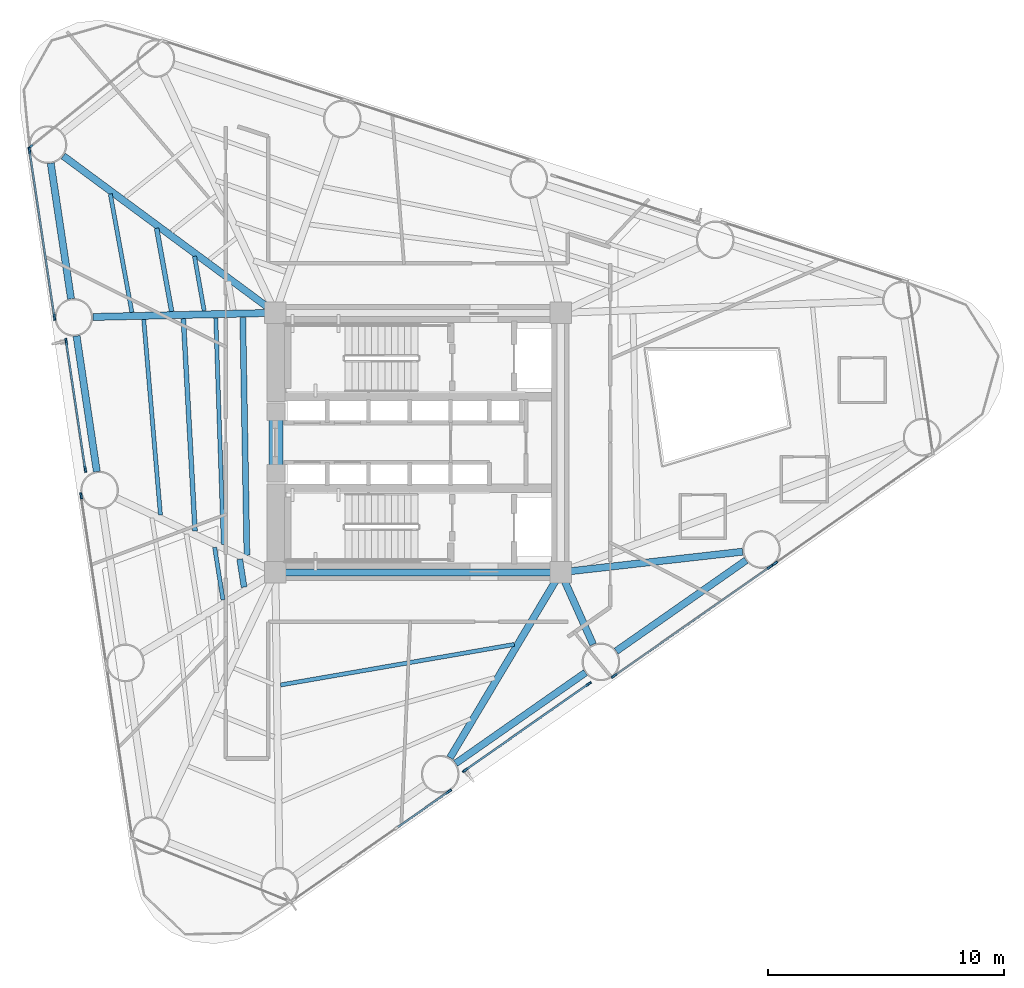
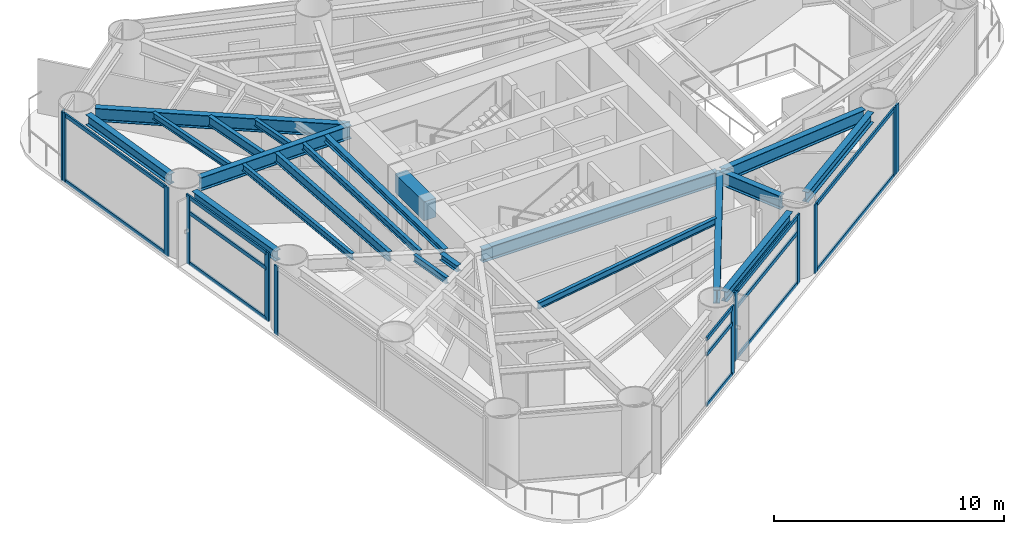
# One storey, part 2 of 9: 25 members, 21 beams, 8 elements without a shape of their own.
"""IFC4 building model written with IfcOpenShell, lengths in metres."""

from ifc_helpers import new_model, si_unit, direction, frame, origin, origin_2d, place, context, subcontext, project, spatial, rectangle, i_section, extrude, source, transform, mapped, material, layer, layer_set, material_profile, profile_set, type_object, element, aggregate, save


model = new_model("IFC4")

# Units and contexts
model_context = context("Model", 3, precision=1e-05, world=origin(), true_north=direction((0.0, 1.0)))
body_context = subcontext(model_context, "Body", "Model", "MODEL_VIEW")
ifc_project = project(units=[si_unit("LENGTHUNIT", "METRE"), si_unit("AREAUNIT", "SQUARE_METRE"), si_unit("VOLUMEUNIT", "CUBIC_METRE"), si_unit("PLANEANGLEUNIT", "RADIAN"), si_unit("MASSUNIT", "GRAM", prefix="KILO")], contexts=[model_context])

# Site, building, storey
site_placement = place(None, origin())
site = spatial("IfcSite", under=ifc_project, at=site_placement, CompositionType="ELEMENT")
building_placement = place(site_placement, origin())
building = spatial("IfcBuilding", under=site, at=building_placement, Name="Yunling Apex Tower", CompositionType="ELEMENT")
storey_placement = place(building_placement, frame((0.0, 0.0, 77.300048828125)))
storey = spatial("IfcBuildingStorey", under=building, at=storey_placement, Name="L20", CompositionType="ELEMENT", Elevation=77.300048828125)

# Beams
ifc_material_1 = material(Name="Concrete C60", Category="concrete")
ifc_material_profile_1 = material_profile(ifc_material_1, rectangle(XDim=0.60009765625, YDim=1.0, at=origin_2d()))
ifc_profile_set_1 = profile_set([ifc_material_profile_1], Name="Concrete C60")
beam_type_1 = type_object("IfcBeamType", Name="BC-CPL-1", PredefinedType="BEAM", material=ifc_profile_set_1)
shared_shape_1 = source(origin(), body_context, "Body", "SweptSolid", [
    extrude(rectangle(XDim=0.60009765625, YDim=1.0, at=origin_2d()), origin(), (0.0, 0.0, 1.0), 2.5),
])
beam_1_placement = place(storey_placement, frame((-6.02490234375, -1.25, 3.06494140625), z_axis=(0.0, 1.0, 0.0), x_axis=(-1.0, 0.0, 0.0)))
element("IfcBeam", 1, at=beam_1_placement, inside=storey, type_object=beam_type_1, Name="L20 Core West Portal Coupling Beam", PredefinedType="BEAM", context=body_context, shape_type="MappedRepresentation", body=[
    mapped(shared_shape_1, transform((0.0, 0.0, 0.0), scale=1.0)),
])
ifc_material_2 = material(Name="Steel Q355B", Category="steel")
ifc_material_profile_2 = material_profile(ifc_material_2, i_section(OverallWidth=0.300048828125, OverallDepth=0.699951171875, WebThickness=0.012939453125, FlangeThickness=0.02392578125, FilletRadius=0.02587890625, at=origin_2d()))
ifc_profile_set_2 = profile_set([ifc_material_profile_2], Name="Steel Q355B")
beam_type_2 = type_object("IfcBeamType", Name="BG-PRI-3", PredefinedType="USERDEFINED", material=ifc_profile_set_2)
shared_shape_2 = source(origin(), body_context, "Body", "SweptSolid", [
    extrude(i_section(OverallWidth=0.300048828125, OverallDepth=0.699951171875, WebThickness=0.012939453125, FlangeThickness=0.02392578125, FilletRadius=0.02587890625, at=origin_2d()), origin(), (0.0, 0.0, 1.0), 11.7998046875),
])
beam_2_placement = place(storey_placement, frame((-5.89990234375, -5.5, 3.21484375), z_axis=(1.0, 0.0, 0.0), x_axis=(0.0, 1.0, 0.0)))
element("IfcBeam", 2, at=beam_2_placement, inside=storey, type_object=beam_type_2, Name="L20 Core Ring Tie Beam 1", ObjectType="GIRDER", PredefinedType="USERDEFINED", context=body_context, shape_type="MappedRepresentation", body=[
    mapped(shared_shape_2, transform((0.0, 0.0, 0.0), scale=1.0)),
])
ifc_material_profile_3 = material_profile(ifc_material_2, i_section(OverallWidth=0.300048828125, OverallDepth=0.5400390625, WebThickness=0.011962890625, FlangeThickness=0.02001953125, FilletRadius=0.02392578125, at=origin_2d()))
ifc_profile_set_3 = profile_set([ifc_material_profile_3], Name="Steel Q355B")
beam_type_3 = type_object("IfcBeamType", Name="BP-SPN-1", PredefinedType="SPANDREL", material=ifc_profile_set_3)
shared_shape_3 = source(origin(), body_context, "Body", "SweptSolid", [
    extrude(i_section(OverallWidth=0.300048828125, OverallDepth=0.5400390625, WebThickness=0.011962890625, FlangeThickness=0.02001953125, FilletRadius=0.02392578125, at=origin_2d()), origin(), (0.0, 0.0, 1.0), 6.721435546875),
])
for number, where, z_axis, x_axis, name in (
    (3, (1.59228515625, -13.60302734375, 3.294921875), (0.81955772083, 0.572996633697, 0.0), (-0.572996633697, 0.81955772083, 0.0), "L20 Perimeter Spandrel Beam 2"),
    (4, (8.40234375, -8.841796875, 3.294921875), (0.81955772083, 0.572996633697, 0.0), (-0.572996633697, 0.81955772083, 0.0), "L20 Perimeter Spandrel Beam 3"),
):
    element("IfcBeam", number, at=place(storey_placement, frame(where, z_axis=z_axis, x_axis=x_axis)), inside=storey, type_object=beam_type_3, Name=name, PredefinedType="SPANDREL", context=body_context, shape_type="MappedRepresentation", body=[
        mapped(shared_shape_3, transform((0.0, 0.0, 0.0), scale=1.0)),
    ])
shared_shape_4 = source(origin(), body_context, "Body", "SweptSolid", [
    extrude(i_section(OverallWidth=0.300048828125, OverallDepth=0.5400390625, WebThickness=0.011962890625, FlangeThickness=0.02001953125, FilletRadius=0.02392578125, at=origin_2d()), origin(), (0.0, 0.0, 1.0), 5.81689453125),
])
for number, where, z_axis, x_axis, name in (
    (5, (-15.57177734375, 11.84423828125, 3.294921875), (0.147823230204, -0.989013797989, 0.0), (0.989013797989, 0.147823230204, 0.0), "L20 Perimeter Spandrel Beam 11"),
    (6, (-14.477294921875, 4.5205078125, 3.294921875), (0.147823230204, -0.989013797989, 0.0), (0.989013797989, 0.147823230204, 0.0), "L20 Perimeter Spandrel Beam 12"),
):
    element("IfcBeam", number, at=place(storey_placement, frame(where, z_axis=z_axis, x_axis=x_axis)), inside=storey, type_object=beam_type_3, Name=name, PredefinedType="SPANDREL", context=body_context, shape_type="MappedRepresentation", body=[
        mapped(shared_shape_4, transform((0.0, 0.0, 0.0), scale=1.0)),
    ])
shared_shape_5 = source(origin(), body_context, "Body", "SweptSolid", [
    extrude(i_section(OverallWidth=0.300048828125, OverallDepth=0.699951171875, WebThickness=0.012939453125, FlangeThickness=0.02392578125, FilletRadius=0.02587890625, at=origin_2d()), origin(), (0.0, 0.0, 1.0), 9.078857421875),
])
beam_3_placement = place(storey_placement, frame((1.355712890625, -13.3642578125, 3.21484375), z_axis=(0.512544819157, 0.858660473269, 0.0), x_axis=(-0.858660473269, 0.512544819157, 0.0)))
element("IfcBeam", 7, at=beam_3_placement, inside=storey, type_object=beam_type_2, Name="L20 Radial Primary Girder R02", ObjectType="GIRDER", PredefinedType="USERDEFINED", context=body_context, shape_type="MappedRepresentation", body=[
    mapped(shared_shape_5, transform((0.0, 0.0, 0.0), scale=1.0)),
])
shared_shape_6 = source(origin(), body_context, "Body", "SweptSolid", [
    extrude(i_section(OverallWidth=0.300048828125, OverallDepth=0.699951171875, WebThickness=0.012939453125, FlangeThickness=0.02392578125, FilletRadius=0.02587890625, at=origin_2d()), origin(), (0.0, 0.0, 1.0), 3.272705078125),
])
beam_4_placement = place(storey_placement, frame((7.421142578125, -8.5595703125, 3.21484375), z_axis=(-0.408946662986, 0.912558286814, 0.0), x_axis=(-0.912558286814, -0.408946662986, 0.0)))
element("IfcBeam", 8, at=beam_4_placement, inside=storey, type_object=beam_type_2, Name="L20 Radial Primary Girder R03", ObjectType="GIRDER", PredefinedType="USERDEFINED", context=body_context, shape_type="MappedRepresentation", body=[
    mapped(shared_shape_6, transform((0.0, 0.0, 0.0), scale=1.0)),
])
shared_shape_7 = source(origin(), body_context, "Body", "SweptSolid", [
    extrude(i_section(OverallWidth=0.300048828125, OverallDepth=0.699951171875, WebThickness=0.012939453125, FlangeThickness=0.02392578125, FilletRadius=0.02587890625, at=origin_2d()), origin(), (0.0, 0.0, 1.0), 7.677978515625),
])
beam_5_placement = place(storey_placement, frame((13.758544921875, -4.62646484375, 3.21484375), z_axis=(-0.993640958951, -0.112595047382, 0.0), x_axis=(0.112595047382, -0.993640958951, 0.0)))
element("IfcBeam", 9, at=beam_5_placement, inside=storey, type_object=beam_type_2, Name="L20 Radial Primary Girder R04", ObjectType="GIRDER", PredefinedType="USERDEFINED", context=body_context, shape_type="MappedRepresentation", body=[
    mapped(shared_shape_7, transform((0.0, 0.0, 0.0), scale=1.0)),
])
shared_shape_8 = source(origin(), body_context, "Body", "SweptSolid", [
    extrude(i_section(OverallWidth=0.300048828125, OverallDepth=0.699951171875, WebThickness=0.012939453125, FlangeThickness=0.02392578125, FilletRadius=0.02587890625, at=origin_2d()), origin(), (0.0, 0.0, 1.0), 11.101318359375),
])
beam_6_placement = place(storey_placement, frame((-15.03955078125, 12.14892578125, 3.21484375), z_axis=(0.803988254112, -0.594645177606, 0.0), x_axis=(0.594645177606, 0.803988254112, 0.0)))
element("IfcBeam", 10, at=beam_6_placement, inside=storey, type_object=beam_type_2, Name="L20 Radial Primary Girder R11", ObjectType="GIRDER", PredefinedType="USERDEFINED", context=body_context, shape_type="MappedRepresentation", body=[
    mapped(shared_shape_8, transform((0.0, 0.0, 0.0), scale=1.0)),
])
shared_shape_9 = source(origin(), body_context, "Body", "SweptSolid", [
    extrude(i_section(OverallWidth=0.300048828125, OverallDepth=0.699951171875, WebThickness=0.012939453125, FlangeThickness=0.02392578125, FilletRadius=0.02587890625, at=origin_2d()), origin(), (0.0, 0.0, 1.0), 7.658935546875),
])
beam_7_placement = place(storey_placement, frame((-13.786865234375, 5.32421875, 3.21484375), z_axis=(0.999741687414, 0.022727922173, 0.0), x_axis=(-0.022727922173, 0.999741687414, 0.0)))
element("IfcBeam", 11, at=beam_7_placement, inside=storey, type_object=beam_type_2, Name="L20 Radial Primary Girder R12", ObjectType="GIRDER", PredefinedType="USERDEFINED", context=body_context, shape_type="MappedRepresentation", body=[
    mapped(shared_shape_9, transform((0.0, 0.0, 0.0), scale=1.0)),
])
ifc_material_profile_4 = material_profile(ifc_material_2, i_section(OverallWidth=0.175048828125, OverallDepth=0.35009765625, WebThickness=0.007080078125, FlangeThickness=0.010986328125, FilletRadius=0.013916015625, at=origin_2d()))
ifc_profile_set_4 = profile_set([ifc_material_profile_4], Name="Steel Q355B")
beam_type_4 = type_object("IfcBeamType", Name="BJ-JST-1", PredefinedType="JOIST", material=ifc_profile_set_4)
shared_shape_10 = source(origin(), body_context, "Body", "SweptSolid", [
    extrude(i_section(OverallWidth=0.175048828125, OverallDepth=0.35009765625, WebThickness=0.007080078125, FlangeThickness=0.010986328125, FilletRadius=0.013916015625, at=origin_2d()), origin(), (0.0, 0.0, 1.0), 10.057861328125),
])
beam_8_placement = place(storey_placement, frame((-5.826904296875, -10.276611328125, 3.389892578125), z_axis=(0.985298923649, 0.170839196488, 0.0), x_axis=(-0.170839196488, 0.985298923649, 0.0)))
element("IfcBeam", 12, at=beam_8_placement, inside=storey, type_object=beam_type_4, Name="L20 Composite Floor Joist BJ3-1", PredefinedType="JOIST", context=body_context, shape_type="MappedRepresentation", body=[
    mapped(shared_shape_10, transform((0.0, 0.0, 0.0), scale=1.0)),
])
ifc_material_profile_5 = material_profile(ifc_material_2, i_section(OverallWidth=0.199951171875, OverallDepth=0.5, WebThickness=0.010009765625, FlangeThickness=0.01611328125, FilletRadius=0.02001953125, at=origin_2d()))
ifc_profile_set_5 = profile_set([ifc_material_profile_5], Name="Steel Q355B")
beam_type_5 = type_object("IfcBeamType", Name="BS-SEC-2", PredefinedType="BEAM", material=ifc_profile_set_5)
shared_shape_11 = source(origin(), body_context, "Body", "SweptSolid", [
    extrude(i_section(OverallWidth=0.199951171875, OverallDepth=0.5, WebThickness=0.010009765625, FlangeThickness=0.01611328125, FilletRadius=0.02001953125, at=origin_2d()), origin(), (0.0, 0.0, 1.0), 3.5859375),
])
beam_9_placement = place(storey_placement, frame((-11.083984375, 9.0869140625, 3.31494140625), z_axis=(0.177830877335, -0.984061064704, 0.0), x_axis=(0.984061064704, 0.177830877335, 0.0)))
element("IfcBeam", 13, at=beam_9_placement, inside=storey, type_object=beam_type_5, Name="L20 Composite Floor Beam BS-11", PredefinedType="BEAM", context=body_context, shape_type="MappedRepresentation", body=[
    mapped(shared_shape_11, transform((0.0, 0.0, 0.0), scale=1.0)),
])
shared_shape_12 = source(origin(), body_context, "Body", "SweptSolid", [
    extrude(i_section(OverallWidth=0.175048828125, OverallDepth=0.35009765625, WebThickness=0.007080078125, FlangeThickness=0.010986328125, FilletRadius=0.013916015625, at=origin_2d()), origin(), (0.0, 0.0, 1.0), 5.102294921875),
])
beam_10_placement = place(storey_placement, frame((-13.047119140625, 10.539306640625, 3.389892578125), z_axis=(0.179533864947, -0.983751793562, 0.0), x_axis=(0.983751793562, 0.179533864947, 0.0)))
element("IfcBeam", 14, at=beam_10_placement, inside=storey, type_object=beam_type_4, Name="L20 Composite Floor Joist BJ1-11", PredefinedType="JOIST", context=body_context, shape_type="MappedRepresentation", body=[
    mapped(shared_shape_12, transform((0.0, 0.0, 0.0), scale=1.0)),
])
shared_shape_13 = source(origin(), body_context, "Body", "SweptSolid", [
    extrude(i_section(OverallWidth=0.175048828125, OverallDepth=0.35009765625, WebThickness=0.007080078125, FlangeThickness=0.010986328125, FilletRadius=0.013916015625, at=origin_2d()), origin(), (0.0, 0.0, 1.0), 2.34521484375),
])
beam_11_placement = place(storey_placement, frame((-9.477783203125, 7.898681640625, 3.389892578125), z_axis=(0.174889813897, -0.984588011808, 0.0), x_axis=(0.984588011808, 0.174889813897, 0.0)))
element("IfcBeam", 15, at=beam_11_placement, inside=storey, type_object=beam_type_4, Name="L20 Composite Floor Joist BJ3-11", PredefinedType="JOIST", context=body_context, shape_type="MappedRepresentation", body=[
    mapped(shared_shape_13, transform((0.0, 0.0, 0.0), scale=1.0)),
])
shared_shape_14 = source(origin(), body_context, "Body", "SweptSolid", [
    extrude(i_section(OverallWidth=0.199951171875, OverallDepth=0.5, WebThickness=0.010009765625, FlangeThickness=0.01611328125, FilletRadius=0.02001953125, at=origin_2d()), origin(), (0.0, 0.0, 1.0), 9.018310546875),
])
beam_12_placement = place(storey_placement, frame((-9.94970703125, 5.25146484375, 3.31494140625), z_axis=(0.054955731572, -0.998488791909, 0.0), x_axis=(0.998488791909, 0.054955731572, 0.0)))
element("IfcBeam", 16, at=beam_12_placement, inside=storey, type_object=beam_type_5, Name="L20 Composite Floor Beam BS-12", PredefinedType="BEAM", context=body_context, shape_type="MappedRepresentation", body=[
    mapped(shared_shape_14, transform((0.0, 0.0, 0.0), scale=1.0)),
])
shared_shape_15 = source(origin(), body_context, "Body", "SweptSolid", [
    extrude(i_section(OverallWidth=0.175048828125, OverallDepth=0.35009765625, WebThickness=0.007080078125, FlangeThickness=0.010986328125, FilletRadius=0.013916015625, at=origin_2d()), origin(), (0.0, 0.0, 1.0), 8.313720703125),
])
beam_13_placement = place(storey_placement, frame((-11.62939453125, 5.21337890625, 3.389892578125), z_axis=(0.085220398072, -0.996362124808, 0.0), x_axis=(0.996362124808, 0.085220398072, 0.0)))
element("IfcBeam", 17, at=beam_13_placement, inside=storey, type_object=beam_type_4, Name="L20 Composite Floor Joist BJ1-12", PredefinedType="JOIST", context=body_context, shape_type="MappedRepresentation", body=[
    mapped(shared_shape_15, transform((0.0, 0.0, 0.0), scale=1.0)),
])
shared_shape_16 = source(origin(), body_context, "Body", "SweptSolid", [
    extrude(i_section(OverallWidth=0.175048828125, OverallDepth=0.35009765625, WebThickness=0.007080078125, FlangeThickness=0.010986328125, FilletRadius=0.013916015625, at=origin_2d()), origin(), (0.0, 0.0, 1.0), 9.600341796875),
])
beam_14_placement = place(storey_placement, frame((-8.57470703125, 5.28271484375, 3.389892578125), z_axis=(0.033364787957, -0.999443240472, 0.0), x_axis=(0.999443240472, 0.033364787957, 0.0)))
element("IfcBeam", 18, at=beam_14_placement, inside=storey, type_object=beam_type_4, Name="L20 Composite Floor Joist BJ3-12", PredefinedType="JOIST", context=body_context, shape_type="MappedRepresentation", body=[
    mapped(shared_shape_16, transform((0.0, 0.0, 0.0), scale=1.0)),
])
ifc_material_profile_6 = material_profile(ifc_material_2, i_section(OverallWidth=0.25, OverallDepth=0.340087890625, WebThickness=0.009033203125, FlangeThickness=0.013916015625, FilletRadius=0.01806640625, at=origin_2d()))
ifc_profile_set_6 = profile_set([ifc_material_profile_6], Name="Steel Q355B")
beam_type_6 = type_object("IfcBeamType", Name="BJ-JST-2", PredefinedType="JOIST", material=ifc_profile_set_6)
shared_shape_17 = source(origin(), body_context, "Body", "SweptSolid", [
    extrude(i_section(OverallWidth=0.25, OverallDepth=0.340087890625, WebThickness=0.009033203125, FlangeThickness=0.013916015625, FilletRadius=0.01806640625, at=origin_2d()), origin(), (0.0, 0.0, 1.0), 10.088134765625),
])
beam_15_placement = place(storey_placement, frame((-7.428955078125, 5.30859375, 3.39501953125), z_axis=(0.017255085284, -0.999851119933, 0.0), x_axis=(0.999851119933, 0.017255085284, 0.0)))
element("IfcBeam", 19, at=beam_15_placement, inside=storey, type_object=beam_type_6, Name="L20 Composite Floor Joist BJ2-12", PredefinedType="JOIST", context=body_context, shape_type="MappedRepresentation", body=[
    mapped(shared_shape_17, transform((0.0, 0.0, 0.0), scale=1.0)),
])
shared_shape_18 = source(origin(), body_context, "Body", "SweptSolid", [
    extrude(i_section(OverallWidth=0.175048828125, OverallDepth=0.35009765625, WebThickness=0.007080078125, FlangeThickness=0.010986328125, FilletRadius=0.013916015625, at=origin_2d()), origin(), (0.0, 0.0, 1.0), 2.252685546875),
])
beam_16_placement = place(storey_placement, frame((-8.622802734375, -4.443603515625, 3.389892578125), z_axis=(0.156608129458, -0.987660819203, 0.0), x_axis=(0.987660819203, 0.156608129458, 0.0)))
element("IfcBeam", 20, at=beam_16_placement, inside=storey, type_object=beam_type_4, Name="L20 Composite Floor Joist BJ3-13", PredefinedType="JOIST", context=body_context, shape_type="MappedRepresentation", body=[
    mapped(shared_shape_18, transform((0.0, 0.0, 0.0), scale=1.0)),
])
shared_shape_19 = source(origin(), body_context, "Body", "SweptSolid", [
    extrude(i_section(OverallWidth=0.25, OverallDepth=0.340087890625, WebThickness=0.009033203125, FlangeThickness=0.013916015625, FilletRadius=0.01806640625, at=origin_2d()), origin(), (0.0, 0.0, 1.0), 1.20068359375),
])
beam_17_placement = place(storey_placement, frame((-7.559814453125, -4.94091796875, 3.39501953125), z_axis=(0.154531945298, -0.987987792375, 0.0), x_axis=(0.987987792375, 0.154531945298, 0.0)))
element("IfcBeam", 21, at=beam_17_placement, inside=storey, type_object=beam_type_6, Name="L20 Composite Floor Joist BJ2-13", PredefinedType="JOIST", context=body_context, shape_type="MappedRepresentation", body=[
    mapped(shared_shape_19, transform((0.0, 0.0, 0.0), scale=1.0)),
])

# Curtain wall, member
ifc_material_3 = material(Name="Bronze anodised aluminium", Category="aluminium")
ifc_layer = layer(ifc_material_3, 0.260009765625)
ifc_layer_set = layer_set([ifc_layer], Name="Bronze anodised aluminium")
curtain_wall_type = type_object("IfcCurtainWallType", Name="CW-SYS-2", PredefinedType="NOTDEFINED", material=ifc_layer_set)
curtain_wall_1_placement = place(storey_placement, origin())
curtain_wall_1 = element("IfcCurtainWall", 22, at=curtain_wall_1_placement, inside=storey, type_object=curtain_wall_type, Name="CW-L20-F1-B1", PredefinedType="NOTDEFINED")
ifc_material_profile_7 = material_profile(ifc_material_3, rectangle(XDim=0.0849609375, YDim=0.260009765625, at=origin_2d()))
ifc_profile_set_7 = profile_set([ifc_material_profile_7], Name="Bronze anodised aluminium")
member_type_1 = type_object("IfcMemberType", Name="CW-MUL-2", PredefinedType="MULLION", material=ifc_profile_set_7)
shared_shape_20 = source(origin(), body_context, "Body", "SweptSolid", [
    extrude(rectangle(XDim=0.0849609375, YDim=0.260009765625, at=origin_2d()), origin(), (0.0, 0.0, 1.0), 3.6650390625),
])
member_1_placement = place(storey_placement, frame((1.305419921875, -14.7919921875, -0.050048828125), z_axis=(0.0, 0.0, 1.0), x_axis=(-0.573004358875, 0.819552319691, 0.0)))
member_1 = element("IfcMember", 23, at=member_1_placement, type_object=member_type_1, Name="CW-SYS-2 mullion 4", PredefinedType="MULLION", context=body_context, shape_type="MappedRepresentation", body=[
    mapped(shared_shape_20, transform((0.0, 0.0, 0.0), scale=1.0)),
])

# Curtain wall, members
curtain_wall_2_placement = place(storey_placement, origin())
curtain_wall_2 = element("IfcCurtainWall", 24, at=curtain_wall_2_placement, inside=storey, type_object=curtain_wall_type, Name="CW-L20-F1-B2", PredefinedType="NOTDEFINED")
member_2_placement = place(storey_placement, frame((1.999755859375, -13.8916015625, -0.050048828125), z_axis=(0.0, 0.0, 1.0), x_axis=(-0.573002671888, 0.819553499175, 0.0)))
member_2 = element("IfcMember", 25, at=member_2_placement, type_object=member_type_1, Name="CW-SYS-2 mullion 1", PredefinedType="MULLION", context=body_context, shape_type="MappedRepresentation", body=[
    mapped(shared_shape_20, transform((0.0, 0.0, 0.0), scale=1.0)),
])
member_3_placement = place(storey_placement, frame((7.232177734375, -10.2333984375, -0.050048828125), z_axis=(0.0, 0.0, 1.0), x_axis=(-0.573002671888, 0.819553499175, 0.0)))
member_3 = element("IfcMember", 26, at=member_3_placement, type_object=member_type_1, Name="CW-SYS-2 mullion 2", PredefinedType="MULLION", context=body_context, shape_type="MappedRepresentation", body=[
    mapped(shared_shape_20, transform((0.0, 0.0, 0.0), scale=1.0)),
])

curtain_wall_3_placement = place(storey_placement, origin())
curtain_wall_3 = element("IfcCurtainWall", 27, at=curtain_wall_3_placement, inside=storey, type_object=curtain_wall_type, Name="CW-L20-F1-B3", PredefinedType="NOTDEFINED")
member_4_placement = place(storey_placement, frame((8.31591796875, -9.890380859375, -0.050048828125), z_axis=(0.0, 0.0, 1.0), x_axis=(-0.572996116804, 0.819558082217, 0.0)))
member_4 = element("IfcMember", 28, at=member_4_placement, type_object=member_type_1, Name="CW-SYS-2 mullion 1", PredefinedType="MULLION", context=body_context, shape_type="MappedRepresentation", body=[
    mapped(shared_shape_20, transform((0.0, 0.0, 0.0), scale=1.0)),
])
member_5_placement = place(storey_placement, frame((14.925048828125, -5.26953125, -0.050048828125), z_axis=(0.0, 0.0, 1.0), x_axis=(-0.572996116804, 0.819558082217, 0.0)))
member_5 = element("IfcMember", 29, at=member_5_placement, type_object=member_type_1, Name="CW-SYS-2 mullion 2", PredefinedType="MULLION", context=body_context, shape_type="MappedRepresentation", body=[
    mapped(shared_shape_20, transform((0.0, 0.0, 0.0), scale=1.0)),
])

# Curtain wall, member
curtain_wall_4_placement = place(storey_placement, origin())
curtain_wall_4 = element("IfcCurtainWall", 30, at=curtain_wall_4_placement, inside=storey, type_object=curtain_wall_type, Name="CW-L20-F1-B4", PredefinedType="NOTDEFINED")
member_6_placement = place(storey_placement, frame((15.1259765625, -5.129150390625, -0.050048828125), z_axis=(0.0, 0.0, 1.0), x_axis=(-0.573004358875, 0.819552319691, 0.0)))
member_6 = element("IfcMember", 31, at=member_6_placement, type_object=member_type_1, Name="CW-SYS-2 mullion 1", PredefinedType="MULLION", context=body_context, shape_type="MappedRepresentation", body=[
    mapped(shared_shape_20, transform((0.0, 0.0, 0.0), scale=1.0)),
])
aggregate(curtain_wall_4, [member_6])

curtain_wall_5_placement = place(storey_placement, origin())
curtain_wall_5 = element("IfcCurtainWall", 32, at=curtain_wall_5_placement, inside=storey, type_object=curtain_wall_type, Name="CW-L20-CRN2", PredefinedType="NOTDEFINED")
member_7_placement = place(storey_placement, frame((-16.4375, 12.539306640625, -0.050048828125), z_axis=(0.0, 0.0, 1.0), x_axis=(0.628079941911, -0.778148820322, 0.0)))
member_7 = element("IfcMember", 33, at=member_7_placement, type_object=member_type_1, Name="CW-SYS-2 mullion 2", PredefinedType="MULLION", context=body_context, shape_type="MappedRepresentation", body=[
    mapped(shared_shape_20, transform((0.0, 0.0, 0.0), scale=1.0)),
])
aggregate(curtain_wall_5, [member_7])

# Curtain wall, members
curtain_wall_6_placement = place(storey_placement, origin())
curtain_wall_6 = element("IfcCurtainWall", 34, at=curtain_wall_6_placement, inside=storey, type_object=curtain_wall_type, Name="CW-L20-F3-B1", PredefinedType="NOTDEFINED")
member_8_placement = place(storey_placement, frame((-16.47216796875, 12.388671875, -0.050048828125), z_axis=(0.0, 0.0, 1.0), x_axis=(0.989017400941, 0.147799122579, 0.0)))
member_8 = element("IfcMember", 35, at=member_8_placement, type_object=member_type_1, Name="CW-SYS-2 mullion 1", PredefinedType="MULLION", context=body_context, shape_type="MappedRepresentation", body=[
    mapped(shared_shape_20, transform((0.0, 0.0, 0.0), scale=1.0)),
])
member_9_placement = place(storey_placement, frame((-15.413818359375, 5.307373046875, -0.050048828125), z_axis=(0.0, 0.0, 1.0), x_axis=(0.989017400941, 0.147799122579, 0.0)))
member_9 = element("IfcMember", 36, at=member_9_placement, type_object=member_type_1, Name="CW-SYS-2 mullion 2", PredefinedType="MULLION", context=body_context, shape_type="MappedRepresentation", body=[
    mapped(shared_shape_20, transform((0.0, 0.0, 0.0), scale=1.0)),
])

curtain_wall_7_placement = place(storey_placement, origin())
curtain_wall_7 = element("IfcCurtainWall", 37, at=curtain_wall_7_placement, inside=storey, type_object=curtain_wall_type, Name="CW-L20-F3-B2", PredefinedType="NOTDEFINED")
member_10_placement = place(storey_placement, frame((-14.917236328125, 4.28466796875, -0.050048828125), z_axis=(0.0, 0.0, 1.0), x_axis=(0.98901713531, 0.147800900076, 0.0)))
member_10 = element("IfcMember", 38, at=member_10_placement, type_object=member_type_1, Name="CW-SYS-2 mullion 1", PredefinedType="MULLION", context=body_context, shape_type="MappedRepresentation", body=[
    mapped(shared_shape_20, transform((0.0, 0.0, 0.0), scale=1.0)),
])
member_11_placement = place(storey_placement, frame((-14.107177734375, -1.13525390625, -0.050048828125), z_axis=(0.0, 0.0, 1.0), x_axis=(0.98901713531, 0.147800900076, 0.0)))
member_11 = element("IfcMember", 39, at=member_11_placement, type_object=member_type_1, Name="CW-SYS-2 mullion 2", PredefinedType="MULLION", context=body_context, shape_type="MappedRepresentation", body=[
    mapped(shared_shape_20, transform((0.0, 0.0, 0.0), scale=1.0)),
])

# Curtain wall, member
curtain_wall_8_placement = place(storey_placement, origin())
curtain_wall_8 = element("IfcCurtainWall", 40, at=curtain_wall_8_placement, inside=storey, type_object=curtain_wall_type, Name="CW-L20-F3-B3", PredefinedType="NOTDEFINED")
member_12_placement = place(storey_placement, frame((-14.283203125, -2.258544921875, -0.050048828125), z_axis=(0.0, 0.0, 1.0), x_axis=(0.98901508166, 0.147814641525, 0.0)))
member_12 = element("IfcMember", 41, at=member_12_placement, type_object=member_type_1, Name="CW-SYS-2 mullion 1", PredefinedType="MULLION", context=body_context, shape_type="MappedRepresentation", body=[
    mapped(shared_shape_20, transform((0.0, 0.0, 0.0), scale=1.0)),
])
aggregate(curtain_wall_8, [member_12])

# Member
ifc_material_profile_8 = material_profile(ifc_material_3, rectangle(XDim=0.0849609375, YDim=0.199951171875, at=origin_2d()))
ifc_profile_set_8 = profile_set([ifc_material_profile_8], Name="Bronze anodised aluminium")
member_type_2 = type_object("IfcMemberType", Name="CW-TRN-2", PredefinedType="USERDEFINED", material=ifc_profile_set_8)
shared_shape_21 = source(origin(), body_context, "Body", "SweptSolid", [
    extrude(rectangle(XDim=0.0849609375, YDim=0.199951171875, at=origin_2d()), origin(), (0.0, 0.0, 1.0), 2.59765625),
])
member_13_placement = place(storey_placement, frame((-0.854736328125, -16.30224609375, 0.04248046875), z_axis=(0.819585012743, 0.572957596064, 0.0), x_axis=(-0.572957596064, 0.819585012743, 0.0)))
member_13 = element("IfcMember", 42, at=member_13_placement, type_object=member_type_2, Name="CW-SYS-2 transom 3.1", ObjectType="TRANSOM", PredefinedType="USERDEFINED", context=body_context, shape_type="MappedRepresentation", body=[
    mapped(shared_shape_21, transform((0.0, 0.0, 0.0), scale=1.0)),
])

member_14_placement = place(storey_placement, frame((-0.854736328125, -16.30224609375, 2.71484375), z_axis=(0.819585012743, 0.572957596064, 0.0), x_axis=(-0.572957596064, 0.819585012743, 0.0)))
member_14 = element("IfcMember", 43, at=member_14_placement, type_object=member_type_2, Name="CW-SYS-2 transom 3.2", ObjectType="TRANSOM", PredefinedType="USERDEFINED", context=body_context, shape_type="MappedRepresentation", body=[
    mapped(shared_shape_21, transform((0.0, 0.0, 0.0), scale=1.0)),
])

member_15_placement = place(storey_placement, frame((-0.854736328125, -16.30224609375, 3.5224609375), z_axis=(0.819585012743, 0.572957596064, 0.0), x_axis=(-0.572957596064, 0.819585012743, 0.0)))
member_15 = element("IfcMember", 44, at=member_15_placement, type_object=member_type_2, Name="CW-SYS-2 transom 3.3", ObjectType="TRANSOM", PredefinedType="USERDEFINED", context=body_context, shape_type="MappedRepresentation", body=[
    mapped(shared_shape_21, transform((0.0, 0.0, 0.0), scale=1.0)),
])

aggregate(curtain_wall_1, [member_1, member_13, member_14, member_15])

shared_shape_22 = source(origin(), body_context, "Body", "SweptSolid", [
    extrude(rectangle(XDim=0.0849609375, YDim=0.199951171875, at=origin_2d()), origin(), (0.0, 0.0, 1.0), 6.3076171875),
])
member_16_placement = place(storey_placement, frame((2.03125, -13.86962890625, 0.04248046875), z_axis=(0.819555463581, 0.57299986223, 0.0), x_axis=(-0.57299986223, 0.819555463581, 0.0)))
member_16 = element("IfcMember", 45, at=member_16_placement, type_object=member_type_2, Name="CW-SYS-2 transom 1.1", ObjectType="TRANSOM", PredefinedType="USERDEFINED", context=body_context, shape_type="MappedRepresentation", body=[
    mapped(shared_shape_22, transform((0.0, 0.0, 0.0), scale=1.0)),
])

member_17_placement = place(storey_placement, frame((2.03125, -13.86962890625, 2.71484375), z_axis=(0.819555463581, 0.57299986223, 0.0), x_axis=(-0.57299986223, 0.819555463581, 0.0)))
member_17 = element("IfcMember", 46, at=member_17_placement, type_object=member_type_2, Name="CW-SYS-2 transom 1.2", ObjectType="TRANSOM", PredefinedType="USERDEFINED", context=body_context, shape_type="MappedRepresentation", body=[
    mapped(shared_shape_22, transform((0.0, 0.0, 0.0), scale=1.0)),
])

member_18_placement = place(storey_placement, frame((2.03125, -13.86962890625, 3.5224609375), z_axis=(0.819555463581, 0.57299986223, 0.0), x_axis=(-0.57299986223, 0.819555463581, 0.0)))
member_18 = element("IfcMember", 47, at=member_18_placement, type_object=member_type_2, Name="CW-SYS-2 transom 1.3", ObjectType="TRANSOM", PredefinedType="USERDEFINED", context=body_context, shape_type="MappedRepresentation", body=[
    mapped(shared_shape_22, transform((0.0, 0.0, 0.0), scale=1.0)),
])

aggregate(curtain_wall_2, [member_2, member_3, member_16, member_17, member_18])

shared_shape_23 = source(origin(), body_context, "Body", "SweptSolid", [
    extrude(rectangle(XDim=0.0849609375, YDim=0.199951171875, at=origin_2d()), origin(), (0.0, 0.0, 1.0), 7.98779296875),
])
member_19_placement = place(storey_placement, frame((8.347412109375, -9.868408203125, 0.04248046875), z_axis=(0.819559176955, 0.572994550995, 0.0), x_axis=(-0.572994550995, 0.819559176955, 0.0)))
member_19 = element("IfcMember", 48, at=member_19_placement, type_object=member_type_2, Name="CW-SYS-2 transom 1.1", ObjectType="TRANSOM", PredefinedType="USERDEFINED", context=body_context, shape_type="MappedRepresentation", body=[
    mapped(shared_shape_23, transform((0.0, 0.0, 0.0), scale=1.0)),
])

member_20_placement = place(storey_placement, frame((8.347412109375, -9.868408203125, 3.5224609375), z_axis=(0.819559176955, 0.572994550995, 0.0), x_axis=(-0.572994550995, 0.819559176955, 0.0)))
member_20 = element("IfcMember", 49, at=member_20_placement, type_object=member_type_2, Name="CW-SYS-2 transom 1.2", ObjectType="TRANSOM", PredefinedType="USERDEFINED", context=body_context, shape_type="MappedRepresentation", body=[
    mapped(shared_shape_23, transform((0.0, 0.0, 0.0), scale=1.0)),
])

aggregate(curtain_wall_3, [member_4, member_5, member_19, member_20])

shared_shape_24 = source(origin(), body_context, "Body", "SweptSolid", [
    extrude(rectangle(XDim=0.0849609375, YDim=0.199951171875, at=origin_2d()), origin(), (0.0, 0.0, 1.0), 7.08349609375),
])
member_21_placement = place(storey_placement, frame((-16.466552734375, 12.350830078125, 0.04248046875), z_axis=(0.147826386349, -0.989013326249, 0.0), x_axis=(0.989013326249, 0.147826386349, 0.0)))
member_21 = element("IfcMember", 50, at=member_21_placement, type_object=member_type_2, Name="CW-SYS-2 transom 1.1", ObjectType="TRANSOM", PredefinedType="USERDEFINED", context=body_context, shape_type="MappedRepresentation", body=[
    mapped(shared_shape_24, transform((0.0, 0.0, 0.0), scale=1.0)),
])

member_22_placement = place(storey_placement, frame((-16.466552734375, 12.350830078125, 3.5224609375), z_axis=(0.147826386349, -0.989013326249, 0.0), x_axis=(0.989013326249, 0.147826386349, 0.0)))
member_22 = element("IfcMember", 51, at=member_22_placement, type_object=member_type_2, Name="CW-SYS-2 transom 1.2", ObjectType="TRANSOM", PredefinedType="USERDEFINED", context=body_context, shape_type="MappedRepresentation", body=[
    mapped(shared_shape_24, transform((0.0, 0.0, 0.0), scale=1.0)),
])

aggregate(curtain_wall_6, [member_8, member_9, member_21, member_22])

shared_shape_25 = source(origin(), body_context, "Body", "SweptSolid", [
    extrude(rectangle(XDim=0.0849609375, YDim=0.199951171875, at=origin_2d()), origin(), (0.0, 0.0, 1.0), 5.403564453125),
])
member_23_placement = place(storey_placement, frame((-14.91162109375, 4.246826171875, 0.04248046875), z_axis=(0.147788090943, -0.98901904945, 0.0), x_axis=(0.98901904945, 0.147788090943, 0.0)))
member_23 = element("IfcMember", 52, at=member_23_placement, type_object=member_type_2, Name="CW-SYS-2 transom 1.1", ObjectType="TRANSOM", PredefinedType="USERDEFINED", context=body_context, shape_type="MappedRepresentation", body=[
    mapped(shared_shape_25, transform((0.0, 0.0, 0.0), scale=1.0)),
])

member_24_placement = place(storey_placement, frame((-14.91162109375, 4.246826171875, 2.71484375), z_axis=(0.147788090943, -0.98901904945, 0.0), x_axis=(0.98901904945, 0.147788090943, 0.0)))
member_24 = element("IfcMember", 53, at=member_24_placement, type_object=member_type_2, Name="CW-SYS-2 transom 1.2", ObjectType="TRANSOM", PredefinedType="USERDEFINED", context=body_context, shape_type="MappedRepresentation", body=[
    mapped(shared_shape_25, transform((0.0, 0.0, 0.0), scale=1.0)),
])

member_25_placement = place(storey_placement, frame((-14.91162109375, 4.246826171875, 3.5224609375), z_axis=(0.147788090943, -0.98901904945, 0.0), x_axis=(0.98901904945, 0.147788090943, 0.0)))
member_25 = element("IfcMember", 54, at=member_25_placement, type_object=member_type_2, Name="CW-SYS-2 transom 1.3", ObjectType="TRANSOM", PredefinedType="USERDEFINED", context=body_context, shape_type="MappedRepresentation", body=[
    mapped(shared_shape_25, transform((0.0, 0.0, 0.0), scale=1.0)),
])

aggregate(curtain_wall_7, [member_10, member_11, member_23, member_24, member_25])

save(model, "model.ifc")
